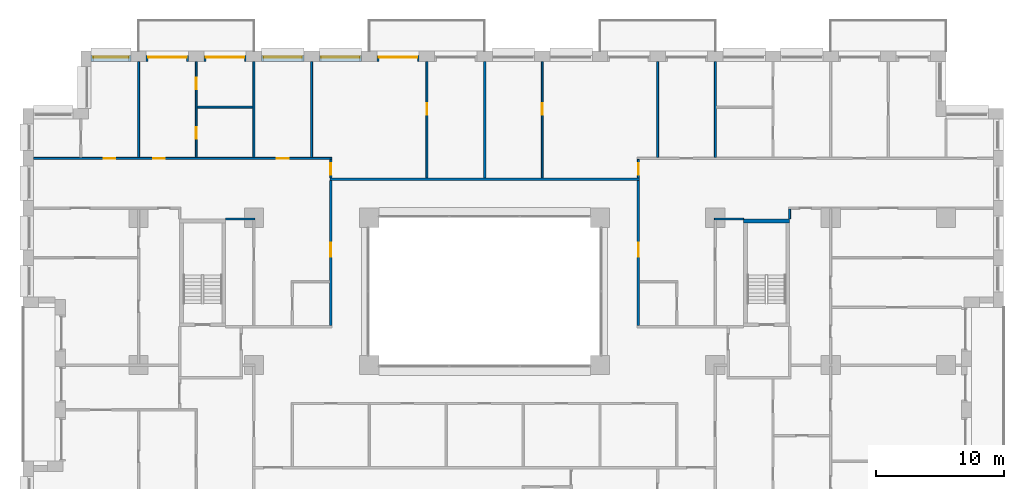
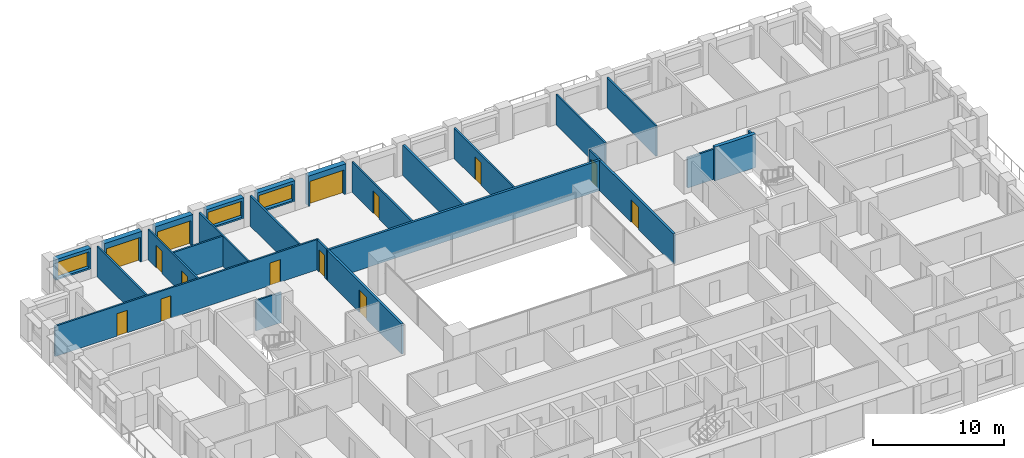
# One storey, part 14 of 19: 26 walls, 14 doors, 3 windows, 17 openings.
"""IFC4 building model written with IfcOpenShell, lengths in metres."""

from ifc_helpers import new_model, si_unit, direction, frame, frame_2d, origin, place, context, subcontext, project, spatial, rectangle, extrude, material, layer, layer_set, type_object, element, fill, save


model = new_model("IFC4")

# Units and contexts
model_context = context("Model", 3, precision=1e-05, world=origin(), true_north=direction((0.0, 1.0)))
body_context = subcontext(model_context, "Body", "Model", "MODEL_VIEW")
ifc_project = project(units=[si_unit("LENGTHUNIT", "METRE"), si_unit("AREAUNIT", "SQUARE_METRE"), si_unit("VOLUMEUNIT", "CUBIC_METRE"), si_unit("PLANEANGLEUNIT", "RADIAN"), si_unit("MASSUNIT", "GRAM", prefix="KILO")], contexts=[model_context])

# Site, building, storey
site_placement = place(None, origin())
site = spatial("IfcSite", under=ifc_project, at=site_placement, CompositionType="ELEMENT")
building_placement = place(site_placement, origin())
building = spatial("IfcBuilding", under=site, at=building_placement, Name="Brigalow Station Residences", CompositionType="ELEMENT")
storey_placement = place(building_placement, frame((0.0, 0.0, 19.5)))
storey = spatial("IfcBuildingStorey", under=building, at=storey_placement, Name="L04", CompositionType="ELEMENT", Elevation=19.5)

# Wall, opening, door
ifc_material_1 = material(Name="Clay brick masonry", Category="masonry")
ifc_layer_1 = layer(ifc_material_1, 0.449951171875)
ifc_layer_set_1 = layer_set([ifc_layer_1], Name="BRICK INFILL WALL 450")
wall_type_1 = type_object("IfcWallType", Name="BRICK INFILL WALL 450", PredefinedType="SOLIDWALL", material=ifc_layer_set_1)
wall_1_placement = place(storey_placement, frame((30.89990234375, 47.925048828125, 0.0), z_axis=(0.0, 0.0, 1.0), x_axis=(-1.0, 0.0, 0.0)))
wall_1 = element("IfcWall", 1, at=wall_1_placement, inside=storey, type_object=wall_type_1, Name="L04/ewall/W-L04-34", PredefinedType="SOLIDWALL", context=body_context, shape_type="SweptSolid", body=[
    extrude(rectangle(XDim=3.2998046875, YDim=0.449951171875, at=frame_2d((1.64990234375, 0.0))), origin(), (0.0, 0.0, 1.0), 2.830078125),
])
opening_1_placement = place(wall_1_placement, frame((0.14990234375, 0.0, 0.0)))
opening_1 = element("IfcOpeningElement", 2, at=opening_1_placement, cuts=wall_1, Name="Opening D-B3000", PredefinedType="OPENING", context=body_context, shape_type="SweptSolid", body=[
    extrude(rectangle(XDim=3.0, YDim=2.300048828125, at=frame_2d((1.5, 1.14990234375))), frame((0.0, 0.23486328125, 0.0), z_axis=(0.0, -1.0, 0.0), x_axis=(1.0, 0.0, 0.0)), (0.0, 0.0, 1.0), 0.469970703125),
])
ifc_material_2 = material(Name="Anodised aluminium frame with double glazing", Category="aluminium")
door_type_1 = type_object("IfcDoorType", Name="BALCONY SLIDING DOOR 3000x2300", OperationType="SLIDING_TO_LEFT", PredefinedType="DOOR", material=ifc_material_2)
door_1_placement = place(opening_1_placement, origin())
door_1 = element("IfcDoor", 3, at=door_1_placement, inside=storey, type_object=door_type_1, Name="L04/balcony-door/W-L04-34", OperationType="SLIDING_TO_LEFT", OverallHeight=2.300048828125, OverallWidth=3.0, PredefinedType="DOOR", context=body_context, shape_type="SweptSolid", body=[
    extrude(rectangle(XDim=3.0, YDim=2.300048828125, at=frame_2d((1.5, 1.14990234375))), frame((0.0, -0.06982421875, 0.0), z_axis=(0.0, -1.0, 0.0), x_axis=(1.0, 0.0, 0.0)), (0.0, 0.0, 1.0), 0.050048828125),
])
fill(opening_1, door_1)

# Wall, opening, window
wall_2_placement = place(storey_placement, frame((26.39990234375, 47.925048828125, 0.89990234375), z_axis=(0.0, 0.0, 1.0), x_axis=(-1.0, 0.0, 0.0)))
wall_2 = element("IfcWall", 4, at=wall_2_placement, inside=storey, type_object=wall_type_1, Name="L04/ewall/W-L04-35", PredefinedType="SOLIDWALL", context=body_context, shape_type="SweptSolid", body=[
    extrude(rectangle(XDim=3.2998046875, YDim=0.449951171875, at=frame_2d((1.64990234375, 0.0))), origin(), (0.0, 0.0, 1.0), 1.93017578125),
])
opening_2_placement = place(wall_2_placement, frame((0.14990234375, 0.0, 0.14990234375)))
opening_2 = element("IfcOpeningElement", 5, at=opening_2_placement, cuts=wall_2, Name="Opening WT-2", PredefinedType="OPENING", context=body_context, shape_type="SweptSolid", body=[
    extrude(rectangle(XDim=3.0, YDim=1.5, at=frame_2d((1.5, 0.75))), frame((0.0, 0.23486328125, 0.0), z_axis=(0.0, -1.0, 0.0), x_axis=(1.0, 0.0, 0.0)), (0.0, 0.0, 1.0), 0.469970703125),
])
ifc_material_3 = material(Name="Anodised aluminium frame with double glazing", Category="aluminium")
window_type_1 = type_object("IfcWindowType", Name="WINDOW 3000x1500", PartitioningType="SINGLE_PANEL", PredefinedType="WINDOW", material=ifc_material_3)
window_1_placement = place(opening_2_placement, origin())
window_1 = element("IfcWindow", 6, at=window_1_placement, inside=storey, type_object=window_type_1, Name="L04/window/W-L04-35", OverallHeight=1.5, OverallWidth=3.0, PartitioningType="SINGLE_PANEL", PredefinedType="WINDOW", context=body_context, shape_type="SweptSolid", body=[
    extrude(rectangle(XDim=3.0, YDim=1.5, at=frame_2d((1.5, 0.75))), frame((0.0, -0.06494140625, 0.0), z_axis=(0.0, -1.0, 0.0), x_axis=(1.0, 0.0, 0.0)), (0.0, 0.0, 1.0), 0.06005859375),
])
fill(opening_2, window_1)

wall_3_placement = place(storey_placement, frame((21.89990234375, 47.925048828125, 0.89990234375), z_axis=(0.0, 0.0, 1.0), x_axis=(-1.0, 0.0, 0.0)))
wall_3 = element("IfcWall", 7, at=wall_3_placement, inside=storey, type_object=wall_type_1, Name="L04/ewall/W-L04-36", PredefinedType="SOLIDWALL", context=body_context, shape_type="SweptSolid", body=[
    extrude(rectangle(XDim=3.2998046875, YDim=0.449951171875, at=frame_2d((1.64990234375, 0.0))), origin(), (0.0, 0.0, 1.0), 1.93017578125),
])
opening_3_placement = place(wall_3_placement, frame((0.14990234375, 0.0, 0.14990234375)))
opening_3 = element("IfcOpeningElement", 8, at=opening_3_placement, cuts=wall_3, Name="Opening WT-2", PredefinedType="OPENING", context=body_context, shape_type="SweptSolid", body=[
    extrude(rectangle(XDim=3.0, YDim=1.5, at=frame_2d((1.5, 0.75))), frame((0.0, 0.23486328125, 0.0), z_axis=(0.0, -1.0, 0.0), x_axis=(1.0, 0.0, 0.0)), (0.0, 0.0, 1.0), 0.469970703125),
])
window_2_placement = place(opening_3_placement, origin())
window_2 = element("IfcWindow", 9, at=window_2_placement, inside=storey, type_object=window_type_1, Name="L04/window/W-L04-36", OverallHeight=1.5, OverallWidth=3.0, PartitioningType="SINGLE_PANEL", PredefinedType="WINDOW", context=body_context, shape_type="SweptSolid", body=[
    extrude(rectangle(XDim=3.0, YDim=1.5, at=frame_2d((1.5, 0.75))), frame((0.0, -0.06494140625, 0.0), z_axis=(0.0, -1.0, 0.0), x_axis=(1.0, 0.0, 0.0)), (0.0, 0.0, 1.0), 0.06005859375),
])
fill(opening_3, window_2)

# Wall, opening, door
wall_4_placement = place(storey_placement, frame((17.39990234375, 47.925048828125, 0.0), z_axis=(0.0, 0.0, 1.0), x_axis=(-1.0, 0.0, 0.0)))
wall_4 = element("IfcWall", 10, at=wall_4_placement, inside=storey, type_object=wall_type_1, Name="L04/ewall/W-L04-37", PredefinedType="SOLIDWALL", context=body_context, shape_type="SweptSolid", body=[
    extrude(rectangle(XDim=3.2998046875, YDim=0.449951171875, at=frame_2d((1.64990234375, 0.0))), origin(), (0.0, 0.0, 1.0), 2.830078125),
])
opening_4_placement = place(wall_4_placement, frame((0.14990234375, 0.0, 0.0)))
opening_4 = element("IfcOpeningElement", 11, at=opening_4_placement, cuts=wall_4, Name="Opening D-B3000", PredefinedType="OPENING", context=body_context, shape_type="SweptSolid", body=[
    extrude(rectangle(XDim=3.0, YDim=2.300048828125, at=frame_2d((1.5, 1.14990234375))), frame((0.0, 0.23486328125, 0.0), z_axis=(0.0, -1.0, 0.0), x_axis=(1.0, 0.0, 0.0)), (0.0, 0.0, 1.0), 0.469970703125),
])
door_2_placement = place(opening_4_placement, origin())
door_2 = element("IfcDoor", 12, at=door_2_placement, inside=storey, type_object=door_type_1, Name="L04/balcony-door/W-L04-37", OperationType="SLIDING_TO_LEFT", OverallHeight=2.300048828125, OverallWidth=3.0, PredefinedType="DOOR", context=body_context, shape_type="SweptSolid", body=[
    extrude(rectangle(XDim=3.0, YDim=2.300048828125, at=frame_2d((1.5, 1.14990234375))), frame((0.0, -0.06982421875, 0.0), z_axis=(0.0, -1.0, 0.0), x_axis=(1.0, 0.0, 0.0)), (0.0, 0.0, 1.0), 0.050048828125),
])
fill(opening_4, door_2)

wall_5_placement = place(storey_placement, frame((12.89990234375, 47.925048828125, 0.0), z_axis=(0.0, 0.0, 1.0), x_axis=(-1.0, 0.0, 0.0)))
wall_5 = element("IfcWall", 13, at=wall_5_placement, inside=storey, type_object=wall_type_1, Name="L04/ewall/W-L04-38", PredefinedType="SOLIDWALL", context=body_context, shape_type="SweptSolid", body=[
    extrude(rectangle(XDim=3.2998046875, YDim=0.449951171875, at=frame_2d((1.64990234375, 0.0))), origin(), (0.0, 0.0, 1.0), 2.830078125),
])
opening_5_placement = place(wall_5_placement, frame((0.14990234375, 0.0, 0.0)))
opening_5 = element("IfcOpeningElement", 14, at=opening_5_placement, cuts=wall_5, Name="Opening D-B3000", PredefinedType="OPENING", context=body_context, shape_type="SweptSolid", body=[
    extrude(rectangle(XDim=3.0, YDim=2.300048828125, at=frame_2d((1.5, 1.14990234375))), frame((0.0, 0.23486328125, 0.0), z_axis=(0.0, -1.0, 0.0), x_axis=(1.0, 0.0, 0.0)), (0.0, 0.0, 1.0), 0.469970703125),
])
door_3_placement = place(opening_5_placement, origin())
door_3 = element("IfcDoor", 15, at=door_3_placement, inside=storey, type_object=door_type_1, Name="L04/balcony-door/W-L04-38", OperationType="SLIDING_TO_LEFT", OverallHeight=2.300048828125, OverallWidth=3.0, PredefinedType="DOOR", context=body_context, shape_type="SweptSolid", body=[
    extrude(rectangle(XDim=3.0, YDim=2.300048828125, at=frame_2d((1.5, 1.14990234375))), frame((0.0, -0.06982421875, 0.0), z_axis=(0.0, -1.0, 0.0), x_axis=(1.0, 0.0, 0.0)), (0.0, 0.0, 1.0), 0.050048828125),
])
fill(opening_5, door_3)

# Wall, opening, window
wall_6_placement = place(storey_placement, frame((8.39990234375, 47.925048828125, 0.89990234375), z_axis=(0.0, 0.0, 1.0), x_axis=(-1.0, 0.0, 0.0)))
wall_6 = element("IfcWall", 16, at=wall_6_placement, inside=storey, type_object=wall_type_1, Name="L04/ewall/W-L04-39", PredefinedType="SOLIDWALL", context=body_context, shape_type="SweptSolid", body=[
    extrude(rectangle(XDim=3.099853515625, YDim=0.449951171875, at=frame_2d((1.5498046875, 0.0))), origin(), (0.0, 0.0, 1.0), 1.93017578125),
])
opening_6_placement = place(wall_6_placement, frame((0.175048828125, 0.0, 0.14990234375)))
opening_6 = element("IfcOpeningElement", 17, at=opening_6_placement, cuts=wall_6, Name="Opening WT-3", PredefinedType="OPENING", context=body_context, shape_type="SweptSolid", body=[
    extrude(rectangle(XDim=2.75, YDim=1.5, at=frame_2d((1.375, 0.75))), frame((0.0, 0.23486328125, 0.0), z_axis=(0.0, -1.0, 0.0), x_axis=(1.0, 0.0, 0.0)), (0.0, 0.0, 1.0), 0.469970703125),
])
ifc_material_4 = material(Name="Anodised aluminium frame with double glazing", Category="aluminium")
window_type_2 = type_object("IfcWindowType", Name="WINDOW 2750x1500", PartitioningType="SINGLE_PANEL", PredefinedType="WINDOW", material=ifc_material_4)
window_3_placement = place(opening_6_placement, origin())
window_3 = element("IfcWindow", 18, at=window_3_placement, inside=storey, type_object=window_type_2, Name="L04/window/W-L04-39", OverallHeight=1.5, OverallWidth=2.75, PartitioningType="SINGLE_PANEL", PredefinedType="WINDOW", context=body_context, shape_type="SweptSolid", body=[
    extrude(rectangle(XDim=2.75, YDim=1.5, at=frame_2d((1.375, 0.75))), frame((0.0, -0.06494140625, 0.0), z_axis=(0.0, -1.0, 0.0), x_axis=(1.0, 0.0, 0.0)), (0.0, 0.0, 1.0), 0.06005859375),
])
fill(opening_6, window_3)

# Walls
ifc_material_5 = material(Name="Concrete C80", Category="concrete")
ifc_layer_2 = layer(ifc_material_5, 0.300048828125)
ifc_layer_set_2 = layer_set([ifc_layer_2], Name="CORE SHEAR WALL 300 C80")
wall_type_2 = type_object("IfcWallType", Name="CORE SHEAR WALL 300 C80", PredefinedType="SHEAR", material=ifc_layer_set_2)
wall_7_placement = place(storey_placement, frame((56.199951171875, 35.25, 0.0), z_axis=(0.0, 0.0, 1.0), x_axis=(1.0, 0.0, 0.0)))
element("IfcWall", 19, at=wall_7_placement, inside=storey, type_object=wall_type_2, Name="CORE WALL ST-S3-N L04", PredefinedType="SHEAR", context=body_context, shape_type="SweptSolid", body=[
    extrude(rectangle(XDim=3.60009765625, YDim=0.300048828125, at=frame_2d((1.800048828125, 0.0))), origin(), (0.0, 0.0, 1.0), 3.14990234375),
])
ifc_material_6 = material(Name="Plasterboard on steel stud partition", Category="steel")
ifc_layer_3 = layer(ifc_material_6, 0.14990234375)
ifc_layer_set_3 = layer_set([ifc_layer_3], Name="FLAT PARTITION 150")
wall_type_3 = type_object("IfcWallType", Name="FLAT PARTITION 150", PredefinedType="PARTITIONING", material=ifc_layer_set_3)
for number, where, z_axis, x_axis, name in (
    (20, (15.800048828125, 35.39990234375, 0.0), (0.0, 0.0, 1.0), (1.0, 0.0, 0.0), "PW-1A20"),
    (21, (53.925048828125, 35.39990234375, 0.0), (0.0, 0.0, 1.0), (1.0, 0.0, 0.0), "PW-1A21"),
):
    element("IfcWall", number, at=place(storey_placement, frame(where, z_axis=z_axis, x_axis=x_axis)), inside=storey, type_object=wall_type_3, Name=name, PredefinedType="PARTITIONING", context=body_context, shape_type="SweptSolid", body=[
        extrude(rectangle(XDim=2.27490234375, YDim=0.14990234375, at=frame_2d((1.137451171875, 0.0))), origin(), (0.0, 0.0, 1.0), 2.830078125),
    ])

# Wall, openings, doors
wall_8_placement = place(storey_placement, frame((0.800048828125, 40.125, 0.0), z_axis=(0.0, 0.0, 1.0), x_axis=(1.0, 0.0, 0.0)))
wall_8 = element("IfcWall", 22, at=wall_8_placement, inside=storey, type_object=wall_type_3, Name="PW-1A22", PredefinedType="PARTITIONING", context=body_context, shape_type="SweptSolid", body=[
    extrude(rectangle(XDim=23.27490234375, YDim=0.14990234375, at=frame_2d((11.637451171875, 0.0))), origin(), (0.0, 0.0, 1.0), 2.830078125),
])
opening_7_placement = place(wall_8_placement, frame((5.5, 0.0, 0.0)))
opening_7 = element("IfcOpeningElement", 23, at=opening_7_placement, cuts=wall_8, Name="Opening D-1A21", PredefinedType="OPENING", context=body_context, shape_type="SweptSolid", body=[
    extrude(rectangle(XDim=0.89990234375, YDim=2.10009765625, at=frame_2d((0.449951171875, 1.050048828125))), frame((0.0, 0.0849609375, 0.0), z_axis=(0.0, -1.0, 0.0), x_axis=(1.0, 0.0, 0.0)), (0.0, 0.0, 1.0), 0.169921875),
])
opening_8_placement = place(wall_8_placement, frame((9.35009765625, 0.0, 0.0)))
opening_8 = element("IfcOpeningElement", 24, at=opening_8_placement, cuts=wall_8, Name="Opening D-1A23", PredefinedType="OPENING", context=body_context, shape_type="SweptSolid", body=[
    extrude(rectangle(XDim=0.89990234375, YDim=2.10009765625, at=frame_2d((0.449951171875, 1.050048828125))), frame((0.0, 0.0849609375, 0.0), z_axis=(0.0, -1.0, 0.0), x_axis=(1.0, 0.0, 0.0)), (0.0, 0.0, 1.0), 0.169921875),
])
opening_9_placement = place(wall_8_placement, frame((19.0, 0.0, 0.0)))
opening_9 = element("IfcOpeningElement", 25, at=opening_9_placement, cuts=wall_8, Name="Opening D-1A26", PredefinedType="OPENING", context=body_context, shape_type="SweptSolid", body=[
    extrude(rectangle(XDim=0.89990234375, YDim=2.10009765625, at=frame_2d((0.449951171875, 1.050048828125))), frame((0.0, 0.0849609375, 0.0), z_axis=(0.0, -1.0, 0.0), x_axis=(1.0, 0.0, 0.0)), (0.0, 0.0, 1.0), 0.169921875),
])
ifc_material_7 = material(Name="Solid-core timber door leaf", Category="wood")
door_type_2 = type_object("IfcDoorType", Name="INTERNAL DOOR 900 x 2100", OperationType="SINGLE_SWING_LEFT", PredefinedType="DOOR", material=ifc_material_7)
door_4_placement = place(opening_7_placement, origin())
door_4 = element("IfcDoor", 26, at=door_4_placement, inside=storey, type_object=door_type_2, Name="D-1A21", OperationType="SINGLE_SWING_LEFT", OverallHeight=2.10009765625, OverallWidth=0.89990234375, PredefinedType="DOOR", context=body_context, shape_type="SweptSolid", body=[
    extrude(rectangle(XDim=0.89990234375, YDim=2.10009765625, at=frame_2d((0.449951171875, 1.050048828125))), frame((0.0, 0.02490234375, 0.0), z_axis=(0.0, -1.0, 0.0), x_axis=(1.0, 0.0, 0.0)), (0.0, 0.0, 1.0), 0.050048828125),
])
fill(opening_7, door_4)
door_5_placement = place(opening_8_placement, origin())
door_5 = element("IfcDoor", 27, at=door_5_placement, inside=storey, type_object=door_type_2, Name="D-1A23", OperationType="SINGLE_SWING_LEFT", OverallHeight=2.10009765625, OverallWidth=0.89990234375, PredefinedType="DOOR", context=body_context, shape_type="SweptSolid", body=[
    extrude(rectangle(XDim=0.89990234375, YDim=2.10009765625, at=frame_2d((0.449951171875, 1.050048828125))), frame((0.0, 0.02490234375, 0.0), z_axis=(0.0, -1.0, 0.0), x_axis=(1.0, 0.0, 0.0)), (0.0, 0.0, 1.0), 0.050048828125),
])
fill(opening_8, door_5)
door_6_placement = place(opening_9_placement, origin())
door_6 = element("IfcDoor", 28, at=door_6_placement, inside=storey, type_object=door_type_2, Name="D-1A26", OperationType="SINGLE_SWING_LEFT", OverallHeight=2.10009765625, OverallWidth=0.89990234375, PredefinedType="DOOR", context=body_context, shape_type="SweptSolid", body=[
    extrude(rectangle(XDim=0.89990234375, YDim=2.10009765625, at=frame_2d((0.449951171875, 1.050048828125))), frame((0.0, 0.02490234375, 0.0), z_axis=(0.0, -1.0, 0.0), x_axis=(1.0, 0.0, 0.0)), (0.0, 0.0, 1.0), 0.050048828125),
])
fill(opening_9, door_6)

# Walls
wall_9_placement = place(storey_placement, frame((13.574951171875, 44.125, 0.0), z_axis=(0.0, 0.0, 1.0), x_axis=(1.0, 0.0, 0.0)))
element("IfcWall", 29, at=wall_9_placement, inside=storey, type_object=wall_type_3, Name="PW-1A26", PredefinedType="PARTITIONING", context=body_context, shape_type="SweptSolid", body=[
    extrude(rectangle(XDim=4.35009765625, YDim=0.14990234375, at=frame_2d((2.175048828125, 0.0))), origin(), (0.0, 0.0, 1.0), 2.830078125),
])
for number, where, z_axis, x_axis, name in (
    (30, (18.0, 40.199951171875, 0.0), (0.0, 0.0, 1.0), (0.0, 1.0, 0.0), "PW-1A33"),
    (31, (54.0, 40.199951171875, 0.0), (0.0, 0.0, 1.0), (0.0, 1.0, 0.0), "PW-1A36"),
):
    element("IfcWall", number, at=place(storey_placement, frame(where, z_axis=z_axis, x_axis=x_axis)), inside=storey, type_object=wall_type_3, Name=name, PredefinedType="PARTITIONING", context=body_context, shape_type="SweptSolid", body=[
        extrude(rectangle(XDim=7.5, YDim=0.14990234375, at=frame_2d((3.75, 0.0))), origin(), (0.0, 0.0, 1.0), 2.830078125),
    ])

# Wall, opening, door
wall_10_placement = place(storey_placement, frame((24.0, 38.60009765625, 0.0), z_axis=(0.0, 0.0, 1.0), x_axis=(0.0, 1.0, 0.0)))
wall_10 = element("IfcWall", 32, at=wall_10_placement, inside=storey, type_object=wall_type_3, Name="PW-1A42", PredefinedType="PARTITIONING", context=body_context, shape_type="SweptSolid", body=[
    extrude(rectangle(XDim=1.449951171875, YDim=0.14990234375, at=frame_2d((0.72509765625, 0.0))), origin(), (0.0, 0.0, 1.0), 2.830078125),
])
opening_10_placement = place(wall_10_placement, frame((0.261962890625, 0.0, 0.0)))
opening_10 = element("IfcOpeningElement", 33, at=opening_10_placement, cuts=wall_10, Name="Opening D-1A27", PredefinedType="OPENING", context=body_context, shape_type="SweptSolid", body=[
    extrude(rectangle(XDim=0.89990234375, YDim=2.10009765625, at=frame_2d((0.449951171875, 1.050048828125))), frame((0.0, 0.0849609375, 0.0), z_axis=(0.0, -1.0, 0.0), x_axis=(1.0, 0.0, 0.0)), (0.0, 0.0, 1.0), 0.169921875),
])
door_7_placement = place(opening_10_placement, frame((0.89990234375, 0.0, 0.0), z_axis=(0.0, 0.0, 1.0), x_axis=(-1.0, 0.0, 0.0)))
door_7 = element("IfcDoor", 34, at=door_7_placement, inside=storey, type_object=door_type_2, Name="D-1A27", OperationType="SINGLE_SWING_RIGHT", OverallHeight=2.10009765625, OverallWidth=0.89990234375, PredefinedType="DOOR", context=body_context, shape_type="SweptSolid", body=[
    extrude(rectangle(XDim=0.89990234375, YDim=2.10009765625, at=frame_2d((0.449951171875, 1.050048828125))), frame((0.0, 0.02490234375, 0.0), z_axis=(0.0, -1.0, 0.0), x_axis=(1.0, 0.0, 0.0)), (0.0, 0.0, 1.0), 0.050048828125),
])
fill(opening_10, door_7)

wall_11_placement = place(storey_placement, frame((48.0, 38.60009765625, 0.0), z_axis=(0.0, 0.0, 1.0), x_axis=(0.0, 1.0, 0.0)))
wall_11 = element("IfcWall", 35, at=wall_11_placement, inside=storey, type_object=wall_type_3, Name="PW-1A44", PredefinedType="PARTITIONING", context=body_context, shape_type="SweptSolid", body=[
    extrude(rectangle(XDim=1.449951171875, YDim=0.14990234375, at=frame_2d((0.72509765625, 0.0))), origin(), (0.0, 0.0, 1.0), 2.830078125),
])
opening_11_placement = place(wall_11_placement, frame((0.261962890625, 0.0, 0.0)))
opening_11 = element("IfcOpeningElement", 36, at=opening_11_placement, cuts=wall_11, Name="Opening D-1A60", PredefinedType="OPENING", context=body_context, shape_type="SweptSolid", body=[
    extrude(rectangle(XDim=0.89990234375, YDim=2.10009765625, at=frame_2d((0.449951171875, 1.050048828125))), frame((0.0, 0.0849609375, 0.0), z_axis=(0.0, -1.0, 0.0), x_axis=(1.0, 0.0, 0.0)), (0.0, 0.0, 1.0), 0.169921875),
])
door_8_placement = place(opening_11_placement, origin())
door_8 = element("IfcDoor", 37, at=door_8_placement, inside=storey, type_object=door_type_2, Name="D-1A60", OperationType="SINGLE_SWING_LEFT", OverallHeight=2.10009765625, OverallWidth=0.89990234375, PredefinedType="DOOR", context=body_context, shape_type="SweptSolid", body=[
    extrude(rectangle(XDim=0.89990234375, YDim=2.10009765625, at=frame_2d((0.449951171875, 1.050048828125))), frame((0.0, 0.02490234375, 0.0), z_axis=(0.0, -1.0, 0.0), x_axis=(1.0, 0.0, 0.0)), (0.0, 0.0, 1.0), 0.050048828125),
])
fill(opening_11, door_8)

# Wall
wall_12_placement = place(storey_placement, frame((9.0, 40.199951171875, 0.0), z_axis=(0.0, 0.0, 1.0), x_axis=(0.0, 1.0, 0.0)))
element("IfcWall", 38, at=wall_12_placement, inside=storey, type_object=wall_type_3, Name="PW-1A50", PredefinedType="PARTITIONING", context=body_context, shape_type="SweptSolid", body=[
    extrude(rectangle(XDim=7.5, YDim=0.14990234375, at=frame_2d((3.75, 0.0))), origin(), (0.0, 0.0, 1.0), 2.830078125),
])

# Wall, openings, doors
wall_13_placement = place(storey_placement, frame((13.5, 40.199951171875, 0.0), z_axis=(0.0, 0.0, 1.0), x_axis=(0.0, 1.0, 0.0)))
wall_13 = element("IfcWall", 39, at=wall_13_placement, inside=storey, type_object=wall_type_3, Name="PW-1A55", PredefinedType="PARTITIONING", context=body_context, shape_type="SweptSolid", body=[
    extrude(rectangle(XDim=7.5, YDim=0.14990234375, at=frame_2d((3.75, 0.0))), origin(), (0.0, 0.0, 1.0), 2.830078125),
])
opening_12_placement = place(wall_13_placement, frame((1.47509765625, 0.0, 0.0)))
opening_12 = element("IfcOpeningElement", 40, at=opening_12_placement, cuts=wall_13, Name="Opening D-1A24", PredefinedType="OPENING", context=body_context, shape_type="SweptSolid", body=[
    extrude(rectangle(XDim=0.89990234375, YDim=2.10009765625, at=frame_2d((0.449951171875, 1.050048828125))), frame((0.0, 0.0849609375, 0.0), z_axis=(0.0, -1.0, 0.0), x_axis=(1.0, 0.0, 0.0)), (0.0, 0.0, 1.0), 0.169921875),
])
opening_13_placement = place(wall_13_placement, frame((5.3369140625, 0.0, 0.0)))
opening_13 = element("IfcOpeningElement", 41, at=opening_13_placement, cuts=wall_13, Name="Opening D-1A25", PredefinedType="OPENING", context=body_context, shape_type="SweptSolid", body=[
    extrude(rectangle(XDim=0.89990234375, YDim=2.10009765625, at=frame_2d((0.449951171875, 1.050048828125))), frame((0.0, 0.0849609375, 0.0), z_axis=(0.0, -1.0, 0.0), x_axis=(1.0, 0.0, 0.0)), (0.0, 0.0, 1.0), 0.169921875),
])
door_9_placement = place(opening_12_placement, frame((0.89990234375, 0.0, 0.0), z_axis=(0.0, 0.0, 1.0), x_axis=(-1.0, 0.0, 0.0)))
door_9 = element("IfcDoor", 42, at=door_9_placement, inside=storey, type_object=door_type_2, Name="D-1A24", OperationType="SINGLE_SWING_RIGHT", OverallHeight=2.10009765625, OverallWidth=0.89990234375, PredefinedType="DOOR", context=body_context, shape_type="SweptSolid", body=[
    extrude(rectangle(XDim=0.89990234375, YDim=2.10009765625, at=frame_2d((0.449951171875, 1.050048828125))), frame((0.0, 0.02490234375, 0.0), z_axis=(0.0, -1.0, 0.0), x_axis=(1.0, 0.0, 0.0)), (0.0, 0.0, 1.0), 0.050048828125),
])
fill(opening_12, door_9)
door_10_placement = place(opening_13_placement, frame((0.89990234375, 0.0, 0.0), z_axis=(0.0, 0.0, 1.0), x_axis=(-1.0, 0.0, 0.0)))
door_10 = element("IfcDoor", 43, at=door_10_placement, inside=storey, type_object=door_type_2, Name="D-1A25", OperationType="SINGLE_SWING_LEFT", OverallHeight=2.10009765625, OverallWidth=0.89990234375, PredefinedType="DOOR", context=body_context, shape_type="SweptSolid", body=[
    extrude(rectangle(XDim=0.89990234375, YDim=2.10009765625, at=frame_2d((0.449951171875, 1.050048828125))), frame((0.0, 0.02490234375, 0.0), z_axis=(0.0, -1.0, 0.0), x_axis=(1.0, 0.0, 0.0)), (0.0, 0.0, 1.0), 0.050048828125),
])
fill(opening_13, door_10)

# Wall
wall_14_placement = place(storey_placement, frame((22.5, 40.199951171875, 0.0), z_axis=(0.0, 0.0, 1.0), x_axis=(0.0, 1.0, 0.0)))
element("IfcWall", 44, at=wall_14_placement, inside=storey, type_object=wall_type_3, Name="PW-1A58", PredefinedType="PARTITIONING", context=body_context, shape_type="SweptSolid", body=[
    extrude(rectangle(XDim=7.5, YDim=0.14990234375, at=frame_2d((3.75, 0.0))), origin(), (0.0, 0.0, 1.0), 2.830078125),
])

# Wall, opening, door
wall_15_placement = place(storey_placement, frame((31.5, 38.60009765625, 0.0), z_axis=(0.0, 0.0, 1.0), x_axis=(0.0, 1.0, 0.0)))
wall_15 = element("IfcWall", 45, at=wall_15_placement, inside=storey, type_object=wall_type_3, Name="PW-1A59", PredefinedType="PARTITIONING", context=body_context, shape_type="SweptSolid", body=[
    extrude(rectangle(XDim=9.099853515625, YDim=0.14990234375, at=frame_2d((4.5498046875, 0.0))), origin(), (0.0, 0.0, 1.0), 2.830078125),
])
opening_14_placement = place(wall_15_placement, frame((4.93701171875, 0.0, 0.0)))
opening_14 = element("IfcOpeningElement", 46, at=opening_14_placement, cuts=wall_15, Name="Opening D-1A28", PredefinedType="OPENING", context=body_context, shape_type="SweptSolid", body=[
    extrude(rectangle(XDim=0.89990234375, YDim=2.10009765625, at=frame_2d((0.449951171875, 1.050048828125))), frame((0.0, 0.0849609375, 0.0), z_axis=(0.0, -1.0, 0.0), x_axis=(1.0, 0.0, 0.0)), (0.0, 0.0, 1.0), 0.169921875),
])
door_11_placement = place(opening_14_placement, frame((0.89990234375, 0.0, 0.0), z_axis=(0.0, 0.0, 1.0), x_axis=(-1.0, 0.0, 0.0)))
door_11 = element("IfcDoor", 47, at=door_11_placement, inside=storey, type_object=door_type_2, Name="D-1A28", OperationType="SINGLE_SWING_LEFT", OverallHeight=2.10009765625, OverallWidth=0.89990234375, PredefinedType="DOOR", context=body_context, shape_type="SweptSolid", body=[
    extrude(rectangle(XDim=0.89990234375, YDim=2.10009765625, at=frame_2d((0.449951171875, 1.050048828125))), frame((0.0, 0.02490234375, 0.0), z_axis=(0.0, -1.0, 0.0), x_axis=(1.0, 0.0, 0.0)), (0.0, 0.0, 1.0), 0.050048828125),
])
fill(opening_14, door_11)

# Walls
wall_16_placement = place(storey_placement, frame((59.800048828125, 35.39990234375, 0.0), z_axis=(0.0, 0.0, 1.0), x_axis=(0.0, 1.0, 0.0)))
element("IfcWall", 48, at=wall_16_placement, inside=storey, type_object=wall_type_3, Name="PW-1A74", PredefinedType="PARTITIONING", context=body_context, shape_type="SweptSolid", body=[
    extrude(rectangle(XDim=0.775146484375, YDim=0.14990234375, at=frame_2d((0.3876953125, 0.0))), origin(), (0.0, 0.0, 1.0), 2.830078125),
])
wall_17_placement = place(storey_placement, frame((49.5, 40.199951171875, 0.0), z_axis=(0.0, 0.0, 1.0), x_axis=(0.0, 1.0, 0.0)))
element("IfcWall", 49, at=wall_17_placement, inside=storey, type_object=wall_type_3, Name="PW-1A75", PredefinedType="PARTITIONING", context=body_context, shape_type="SweptSolid", body=[
    extrude(rectangle(XDim=7.5, YDim=0.14990234375, at=frame_2d((3.75, 0.0))), origin(), (0.0, 0.0, 1.0), 2.830078125),
])

# Wall, opening, door
wall_18_placement = place(storey_placement, frame((40.5, 38.60009765625, 0.0), z_axis=(0.0, 0.0, 1.0), x_axis=(0.0, 1.0, 0.0)))
wall_18 = element("IfcWall", 50, at=wall_18_placement, inside=storey, type_object=wall_type_3, Name="PW-1A76", PredefinedType="PARTITIONING", context=body_context, shape_type="SweptSolid", body=[
    extrude(rectangle(XDim=9.099853515625, YDim=0.14990234375, at=frame_2d((4.5498046875, 0.0))), origin(), (0.0, 0.0, 1.0), 2.830078125),
])
opening_15_placement = place(wall_18_placement, frame((4.93701171875, 0.0, 0.0)))
opening_15 = element("IfcOpeningElement", 51, at=opening_15_placement, cuts=wall_18, Name="Opening D-1A61", PredefinedType="OPENING", context=body_context, shape_type="SweptSolid", body=[
    extrude(rectangle(XDim=0.89990234375, YDim=2.10009765625, at=frame_2d((0.449951171875, 1.050048828125))), frame((0.0, 0.0849609375, 0.0), z_axis=(0.0, -1.0, 0.0), x_axis=(1.0, 0.0, 0.0)), (0.0, 0.0, 1.0), 0.169921875),
])
door_12_placement = place(opening_15_placement, origin())
door_12 = element("IfcDoor", 52, at=door_12_placement, inside=storey, type_object=door_type_2, Name="D-1A61", OperationType="SINGLE_SWING_RIGHT", OverallHeight=2.10009765625, OverallWidth=0.89990234375, PredefinedType="DOOR", context=body_context, shape_type="SweptSolid", body=[
    extrude(rectangle(XDim=0.89990234375, YDim=2.10009765625, at=frame_2d((0.449951171875, 1.050048828125))), frame((0.0, 0.02490234375, 0.0), z_axis=(0.0, -1.0, 0.0), x_axis=(1.0, 0.0, 0.0)), (0.0, 0.0, 1.0), 0.050048828125),
])
fill(opening_15, door_12)

# Wall
ifc_material_8 = material(Name="Plasterboard on steel stud partition", Category="steel")
ifc_layer_4 = layer(ifc_material_8, 0.199951171875)
ifc_layer_set_4 = layer_set([ifc_layer_4], Name="PARTY AND CORRIDOR WALL 200")
wall_type_4 = type_object("IfcWallType", Name="PARTY AND CORRIDOR WALL 200", PredefinedType="PARTITIONING", material=ifc_layer_set_4)
wall_19_placement = place(storey_placement, frame((23.925048828125, 38.5, 0.0), z_axis=(0.0, 0.0, 1.0), x_axis=(1.0, 0.0, 0.0)))
element("IfcWall", 53, at=wall_19_placement, inside=storey, type_object=wall_type_4, Name="PW-1A08", PredefinedType="PARTITIONING", context=body_context, shape_type="SweptSolid", body=[
    extrude(rectangle(XDim=24.14990234375, YDim=0.199951171875, at=frame_2d((12.074951171875, 0.0))), origin(), (0.0, 0.0, 1.0), 2.830078125),
])

# Wall, opening, door
wall_20_placement = place(storey_placement, frame((24.0, 27.10009765625, 0.0), z_axis=(0.0, 0.0, 1.0), x_axis=(0.0, 1.0, 0.0)))
wall_20 = element("IfcWall", 54, at=wall_20_placement, inside=storey, type_object=wall_type_4, Name="PW-1A43", PredefinedType="PARTITIONING", context=body_context, shape_type="SweptSolid", body=[
    extrude(rectangle(XDim=11.2998046875, YDim=0.199951171875, at=frame_2d((5.64990234375, 0.0))), origin(), (0.0, 0.0, 1.0), 2.830078125),
])
opening_16_placement = place(wall_20_placement, frame((5.35009765625, 0.0, 0.0)))
opening_16 = element("IfcOpeningElement", 55, at=opening_16_placement, cuts=wall_20, Name="Opening D-1A29", PredefinedType="OPENING", context=body_context, shape_type="SweptSolid", body=[
    extrude(rectangle(XDim=1.10009765625, YDim=2.10009765625, at=frame_2d((0.550048828125, 1.050048828125))), frame((0.0, 0.10986328125, 0.0), z_axis=(0.0, -1.0, 0.0), x_axis=(1.0, 0.0, 0.0)), (0.0, 0.0, 1.0), 0.219970703125),
])
ifc_material_9 = material(Name="Solid-core timber door leaf", Category="wood")
door_type_3 = type_object("IfcDoorType", Name="FLAT ENTRANCE DOOR 1100 x 2100 FRL -/60/30", OperationType="SINGLE_SWING_LEFT", PredefinedType="DOOR", material=ifc_material_9)
door_13_placement = place(opening_16_placement, origin())
door_13 = element("IfcDoor", 56, at=door_13_placement, inside=storey, type_object=door_type_3, Name="D-1A29", OperationType="SINGLE_SWING_LEFT", OverallHeight=2.10009765625, OverallWidth=1.10009765625, PredefinedType="DOOR", context=body_context, shape_type="SweptSolid", body=[
    extrude(rectangle(XDim=1.10009765625, YDim=2.10009765625, at=frame_2d((0.550048828125, 1.050048828125))), frame((0.0, 0.02490234375, 0.0), z_axis=(0.0, -1.0, 0.0), x_axis=(1.0, 0.0, 0.0)), (0.0, 0.0, 1.0), 0.050048828125),
])
fill(opening_16, door_13)

wall_21_placement = place(storey_placement, frame((48.0, 27.10009765625, 0.0), z_axis=(0.0, 0.0, 1.0), x_axis=(0.0, 1.0, 0.0)))
wall_21 = element("IfcWall", 57, at=wall_21_placement, inside=storey, type_object=wall_type_4, Name="PW-1A45", PredefinedType="PARTITIONING", context=body_context, shape_type="SweptSolid", body=[
    extrude(rectangle(XDim=11.2998046875, YDim=0.199951171875, at=frame_2d((5.64990234375, 0.0))), origin(), (0.0, 0.0, 1.0), 2.830078125),
])
opening_17_placement = place(wall_21_placement, frame((5.35009765625, 0.0, 0.0)))
opening_17 = element("IfcOpeningElement", 58, at=opening_17_placement, cuts=wall_21, Name="Opening D-1A62", PredefinedType="OPENING", context=body_context, shape_type="SweptSolid", body=[
    extrude(rectangle(XDim=1.10009765625, YDim=2.10009765625, at=frame_2d((0.550048828125, 1.050048828125))), frame((0.0, 0.10986328125, 0.0), z_axis=(0.0, -1.0, 0.0), x_axis=(1.0, 0.0, 0.0)), (0.0, 0.0, 1.0), 0.219970703125),
])
door_14_placement = place(opening_17_placement, frame((1.10009765625, 0.0, 0.0), z_axis=(0.0, 0.0, 1.0), x_axis=(-1.0, 0.0, 0.0)))
door_14 = element("IfcDoor", 59, at=door_14_placement, inside=storey, type_object=door_type_3, Name="D-1A62", OperationType="SINGLE_SWING_RIGHT", OverallHeight=2.10009765625, OverallWidth=1.10009765625, PredefinedType="DOOR", context=body_context, shape_type="SweptSolid", body=[
    extrude(rectangle(XDim=1.10009765625, YDim=2.10009765625, at=frame_2d((0.550048828125, 1.050048828125))), frame((0.0, 0.02490234375, 0.0), z_axis=(0.0, -1.0, 0.0), x_axis=(1.0, 0.0, 0.0)), (0.0, 0.0, 1.0), 0.050048828125),
])
fill(opening_17, door_14)

# Wall
wall_22_placement = place(storey_placement, frame((36.0, 38.60009765625, 0.0), z_axis=(0.0, 0.0, 1.0), x_axis=(0.0, 1.0, 0.0)))
element("IfcWall", 60, at=wall_22_placement, inside=storey, type_object=wall_type_4, Name="PW-1A60", PredefinedType="PARTITIONING", context=body_context, shape_type="SweptSolid", body=[
    extrude(rectangle(XDim=9.099853515625, YDim=0.199951171875, at=frame_2d((4.5498046875, 0.0))), origin(), (0.0, 0.0, 1.0), 2.830078125),
])

save(model, "model.ifc")
